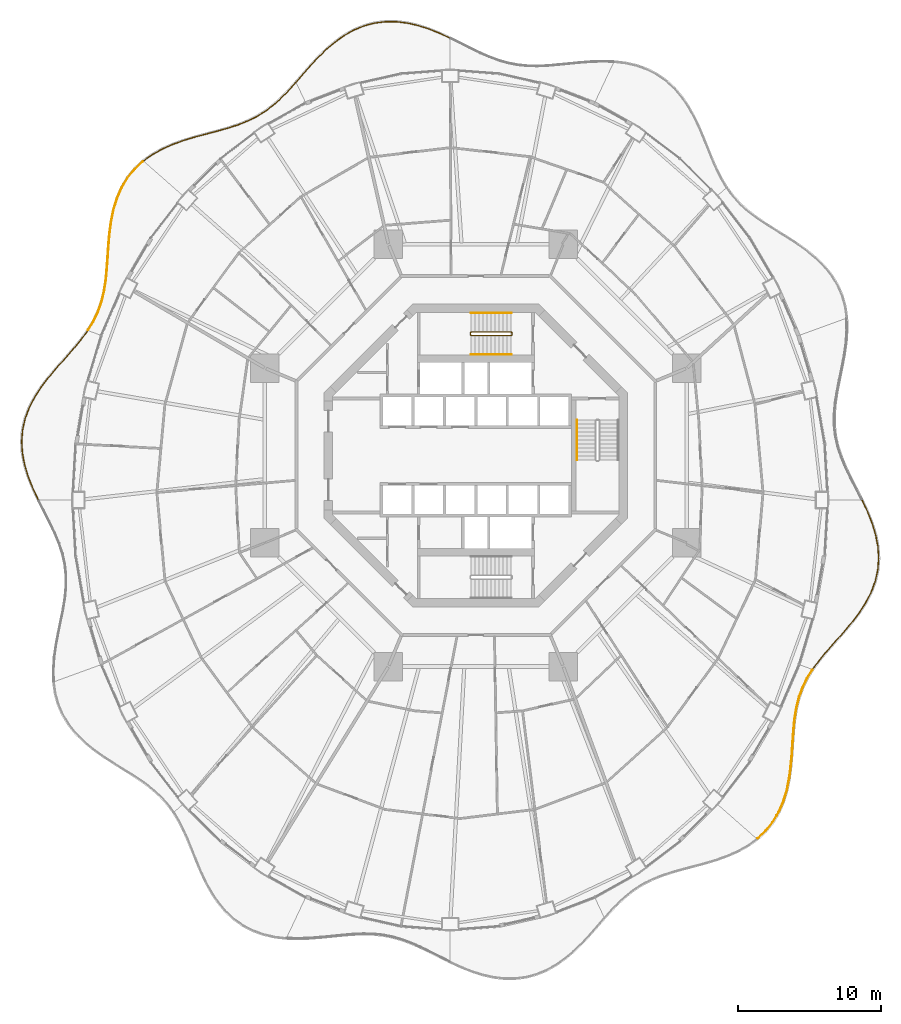
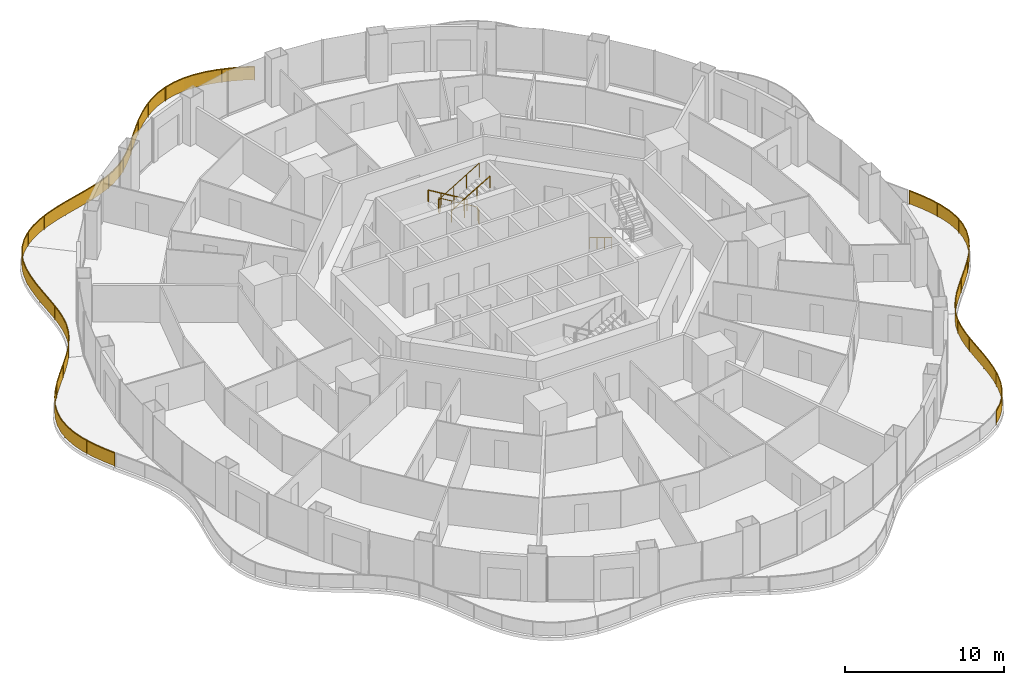
# One storey, part 19 of 20: 10 railings.
"""IFC4 building model written with IfcOpenShell, lengths in metres."""

from ifc_helpers import new_model, si_unit, direction, frame, origin, origin_2d, place, context, subcontext, project, spatial, polyline, rectangle, circle, outline, extrude, material, type_object, element, save


model = new_model("IFC4")

# Units and contexts
model_context = context("Model", 3, precision=1e-05, world=origin(), true_north=direction((0.0, 1.0)))
body_context = subcontext(model_context, "Body", "Model", "MODEL_VIEW")
ifc_project = project(units=[si_unit("LENGTHUNIT", "METRE"), si_unit("AREAUNIT", "SQUARE_METRE"), si_unit("VOLUMEUNIT", "CUBIC_METRE"), si_unit("PLANEANGLEUNIT", "RADIAN"), si_unit("MASSUNIT", "GRAM", prefix="KILO")], contexts=[model_context])

# Site, building, storey
site_placement = place(None, origin())
site = spatial("IfcSite", under=ifc_project, at=site_placement, CompositionType="ELEMENT")
building_placement = place(site_placement, origin())
building = spatial("IfcBuilding", under=site, at=building_placement, Name="Nagisa Residences", CompositionType="ELEMENT")
storey_placement = place(building_placement, frame((0.0, 0.0, 130.699951171875)))
storey = spatial("IfcBuildingStorey", under=building, at=storey_placement, Name="L32", CompositionType="ELEMENT", Elevation=130.699951171875)

# Railings
ifc_material_1 = material(Name="Stainless steel 316", Category="steel")
railing_type_1 = type_object("IfcRailingType", Name="BALCONY GUARD 1100", PredefinedType="BALUSTRADE", material=ifc_material_1)
railing_1_placement = place(storey_placement, frame((-1.83447265625, 29.24560546875, 0.0)))
element("IfcRailing", 1, at=railing_1_placement, inside=storey, type_object=railing_type_1, Name="guard:L32:bal04-0", PredefinedType="BALUSTRADE", context=body_context, shape_type="SweptSolid", body=[
    extrude(outline(polyline([(-0.696044921875, 0.29541015625), (-0.010498046875, -0.022705078125), (0.010498046875, 0.022705078125), (-0.676025390625, 0.34130859375), (-1.425048828125, 0.641357421875), (-2.189208984375, 0.888427734375), (-2.963134765625, 1.0654296875), (-3.739013671875, 1.159423828125), (-4.495849609375, 1.163330078125), (-5.256591796875, 1.065673828125), (-5.997314453125, 0.868896484375), (-6.711181640625, 0.576904296875), (-7.3935546875, 0.197021484375), (-8.023681640625, -0.253173828125), (-8.634765625, -0.769287109375), (-9.211669921875, -1.3291015625), (-9.7587890625, -1.91455078125), (-10.281982421875, -2.507568359375), (-10.7578125, -3.057861328125), (-10.7197265625, -3.090576171875), (-10.244384765625, -2.540283203125), (-9.7216796875, -1.9482421875), (-9.176025390625, -1.3642578125), (-8.60107421875, -0.806396484375), (-7.992919921875, -0.292724609375), (-7.36669921875, 0.154541015625), (-6.689697265625, 0.531494140625), (-5.981201171875, 0.821533203125), (-5.246826171875, 1.016357421875), (-4.492919921875, 1.113037109375), (-3.741943359375, 1.109619140625), (-2.971923828125, 1.01611328125), (-2.202392578125, 0.840087890625), (-1.442138671875, 0.594482421875), (-0.696044921875, 0.29541015625)])), frame((0.0, 0.0, 1.050048828125)), (0.0, 0.0, 1.0), 0.050048828125),
    extrude(outline(polyline([(-0.688720703125, 0.31201171875), (-0.0029296875, -0.00634765625), (0.0029296875, 0.00634765625), (-0.683349609375, 0.32470703125), (-1.43115234375, 0.62451171875), (-2.19384765625, 0.87109375), (-2.96630859375, 1.047607421875), (-3.739990234375, 1.1416015625), (-4.494873046875, 1.145263671875), (-5.253173828125, 1.0478515625), (-5.991455078125, 0.851806640625), (-6.703369140625, 0.560546875), (-7.3837890625, 0.181640625), (-8.0126953125, -0.267333984375), (-8.62255859375, -0.78271484375), (-9.19873046875, -1.341796875), (-9.745361328125, -1.9267578125), (-10.2685546875, -2.519287109375), (-10.744140625, -3.069580078125), (-10.7333984375, -3.078857421875), (-10.2578125, -2.528564453125), (-9.735107421875, -1.93603515625), (-9.18896484375, -1.3515625), (-8.61328125, -0.79296875), (-8.00390625, -0.278564453125), (-7.37646484375, 0.169921875), (-6.697509765625, 0.5478515625), (-5.987060546875, 0.838623046875), (-5.250244140625, 1.0341796875), (-4.493896484375, 1.131103515625), (-3.740966796875, 1.12744140625), (-2.96875, 1.033935546875), (-2.19775390625, 0.857421875), (-1.43603515625, 0.611328125), (-0.688720703125, 0.31201171875)])), frame((0.0, 0.0, 0.06005859375)), (0.0, 0.0, 1.0), 0.989990234375),
    extrude(rectangle(XDim=0.0400390625, YDim=0.0400390625, at=origin_2d()), origin(), (0.0, 0.0, 1.0), 1.050048828125),
    extrude(rectangle(XDim=0.0400390625, YDim=0.0400390625, at=origin_2d()), frame((-1.922119140625, 0.77587890625, 0.0)), (0.0, 0.0, 1.0), 1.050048828125),
    extrude(rectangle(XDim=0.0400390625, YDim=0.0400390625, at=origin_2d()), frame((-3.95751953125, 1.135498046875, 0.0)), (0.0, 0.0, 1.0), 1.050048828125),
    extrude(rectangle(XDim=0.0400390625, YDim=0.0400390625, at=origin_2d()), frame((-6.0, 0.8408203125, 0.0)), (0.0, 0.0, 1.0), 1.050048828125),
    extrude(rectangle(XDim=0.0400390625, YDim=0.0400390625, at=origin_2d()), frame((-7.81982421875, -0.13818359375, 0.0)), (0.0, 0.0, 1.0), 1.050048828125),
    extrude(rectangle(XDim=0.0400390625, YDim=0.0400390625, at=origin_2d()), frame((-9.359619140625, -1.524169921875, 0.0)), (0.0, 0.0, 1.0), 1.050048828125),
    extrude(rectangle(XDim=0.0400390625, YDim=0.0400390625, at=origin_2d()), frame((-10.73876953125, -3.07421875, 0.0)), (0.0, 0.0, 1.0), 1.050048828125),
])
railing_2_placement = place(storey_placement, frame((-12.62158203125, 26.11376953125, 0.0)))
element("IfcRailing", 2, at=railing_2_placement, inside=storey, type_object=railing_type_1, Name="guard:L32:bal05-0", PredefinedType="BALUSTRADE", context=body_context, shape_type="SweptSolid", body=[
    extrude(outline(polyline([(-0.469970703125, -0.562744140625), (0.0185546875, -0.0166015625), (-0.0185546875, 0.0166015625), (-0.506591796875, -0.528564453125), (-1.030029296875, -1.06494140625), (-1.568359375, -1.5498046875), (-2.131103515625, -1.977783203125), (-2.7265625, -2.347900390625), (-3.345947265625, -2.654541015625), (-4.019775390625, -2.923583984375), (-4.73291015625, -3.156494140625), (-5.48046875, -3.367431640625), (-6.254150390625, -3.57177734375), (-7.030517578125, -3.77490234375), (-7.8203125, -4.013916015625), (-8.59619140625, -4.29248046875), (-9.342529296875, -4.622802734375), (-10.0439453125, -5.01416015625), (-10.64794921875, -5.44384765625), (-10.619140625, -5.48486328125), (-10.01708984375, -5.056640625), (-9.320068359375, -4.667724609375), (-8.57763671875, -4.3388671875), (-7.8046875, -4.061279296875), (-7.016845703125, -3.8232421875), (-6.241455078125, -3.6201171875), (-5.46728515625, -3.415771484375), (-4.71826171875, -3.204345703125), (-4.002685546875, -2.970458984375), (-3.325439453125, -2.700439453125), (-2.7021484375, -2.391845703125), (-2.102783203125, -2.019287109375), (-1.53662109375, -1.58837890625), (-0.995361328125, -1.10107421875), (-0.469970703125, -0.562744140625)])), frame((0.0, 0.0, 1.050048828125)), (0.0, 0.0, 1.0), 0.050048828125),
    extrude(outline(polyline([(-0.483154296875, -0.550537109375), (0.005126953125, -0.004638671875), (-0.005126953125, 0.004638671875), (-0.493408203125, -0.540771484375), (-1.017578125, -1.077880859375), (-1.556884765625, -1.563720703125), (-2.120849609375, -1.99267578125), (-2.7177734375, -2.36376953125), (-3.338623046875, -2.671142578125), (-4.013671875, -2.9404296875), (-4.7275390625, -3.173828125), (-5.475830078125, -3.384765625), (-6.24951171875, -3.589111328125), (-7.025634765625, -3.792236328125), (-7.814697265625, -4.031005859375), (-8.589599609375, -4.30908203125), (-9.33447265625, -4.638916015625), (-10.0341796875, -5.029541015625), (-10.6376953125, -5.458740234375), (-10.62939453125, -5.469970703125), (-10.02685546875, -5.041259765625), (-9.328125, -4.651611328125), (-8.584228515625, -4.322265625), (-7.810302734375, -4.044189453125), (-7.021728515625, -3.805908203125), (-6.24609375, -3.602783203125), (-5.471923828125, -3.3984375), (-4.7236328125, -3.18701171875), (-4.0087890625, -2.95361328125), (-3.332763671875, -2.683837890625), (-2.7109375, -2.3759765625), (-2.113037109375, -2.00439453125), (-1.548095703125, -1.574462890625), (-1.0078125, -1.088134765625), (-0.483154296875, -0.550537109375)])), frame((0.0, 0.0, 0.06005859375)), (0.0, 0.0, 1.0), 0.989990234375),
    extrude(rectangle(XDim=0.0400390625, YDim=0.0400390625, at=origin_2d()), origin(), (0.0, 0.0, 1.0), 1.050048828125),
    extrude(rectangle(XDim=0.0400390625, YDim=0.0400390625, at=origin_2d()), frame((-1.418701171875, -1.448486328125, 0.0)), (0.0, 0.0, 1.0), 1.050048828125),
    extrude(rectangle(XDim=0.0400390625, YDim=0.0400390625, at=origin_2d()), frame((-3.10546875, -2.5634765625, 0.0)), (0.0, 0.0, 1.0), 1.050048828125),
    extrude(rectangle(XDim=0.0400390625, YDim=0.0400390625, at=origin_2d()), frame((-5.00830078125, -3.26025390625, 0.0)), (0.0, 0.0, 1.0), 1.050048828125),
    extrude(rectangle(XDim=0.0400390625, YDim=0.0400390625, at=origin_2d()), frame((-6.968505859375, -3.78466796875, 0.0)), (0.0, 0.0, 1.0), 1.050048828125),
    extrude(rectangle(XDim=0.0400390625, YDim=0.0400390625, at=origin_2d()), frame((-8.884521484375, -4.447509765625, 0.0)), (0.0, 0.0, 1.0), 1.050048828125),
    extrude(rectangle(XDim=0.0400390625, YDim=0.0400390625, at=origin_2d()), frame((-10.633544921875, -5.46435546875, 0.0)), (0.0, 0.0, 1.0), 1.050048828125),
])
railing_3_placement = place(storey_placement, frame((-23.3154296875, 20.600830078125, 0.0)))
element("IfcRailing", 3, at=railing_3_placement, inside=storey, type_object=railing_type_1, Name="guard:L32:bal06-0", PredefinedType="BALUSTRADE", context=body_context, shape_type="SweptSolid", body=[
    extrude(outline(polyline([(-0.54443359375, -0.538330078125), (0.01708984375, -0.018310546875), (-0.01708984375, 0.018310546875), (-0.5810546875, -0.504150390625), (-1.093017578125, -1.134033203125), (-1.513916015625, -1.832275390625), (-1.844482421875, -2.588623046875), (-2.09033203125, -3.391357421875), (-2.25439453125, -4.2138671875), (-2.36865234375, -5.06591796875), (-2.443359375, -5.920654296875), (-2.4990234375, -6.765625), (-2.557373046875, -7.58935546875), (-2.63232421875, -8.37109375), (-2.755126953125, -9.130859375), (-2.93408203125, -9.85498046875), (-3.18017578125, -10.544921875), (-3.497802734375, -11.204833984375), (-3.865478515625, -11.80615234375), (-3.822998046875, -11.83203125), (-3.453857421875, -11.228759765625), (-3.1337890625, -10.564453125), (-2.88623046875, -9.86962890625), (-2.705810546875, -9.14111328125), (-2.58251953125, -8.37744140625), (-2.507568359375, -7.59375), (-2.44921875, -6.76904296875), (-2.3935546875, -5.924560546875), (-2.31884765625, -5.0712890625), (-2.205078125, -4.22216796875), (-2.04150390625, -3.403564453125), (-1.797607421875, -2.606201171875), (-1.469482421875, -1.855224609375), (-1.052001953125, -1.162841796875), (-0.54443359375, -0.538330078125)])), frame((0.0, 0.0, 1.050048828125)), (0.0, 0.0, 1.0), 0.050048828125),
    extrude(outline(polyline([(-0.5576171875, -0.526123046875), (0.004638671875, -0.005126953125), (-0.004638671875, 0.005126953125), (-0.56787109375, -0.516357421875), (-1.078369140625, -1.144287109375), (-1.498046875, -1.840576171875), (-1.82763671875, -2.594970703125), (-2.07275390625, -3.395751953125), (-2.236572265625, -4.216796875), (-2.350830078125, -5.06787109375), (-2.425537109375, -5.922119140625), (-2.481201171875, -6.766845703125), (-2.53955078125, -7.591064453125), (-2.6142578125, -8.373291015625), (-2.7373046875, -9.134521484375), (-2.916748046875, -9.8603515625), (-3.163330078125, -10.552001953125), (-3.48193359375, -11.21337890625), (-3.85009765625, -11.8154296875), (-3.83837890625, -11.82275390625), (-3.4697265625, -11.22021484375), (-3.150634765625, -10.557373046875), (-2.903564453125, -9.8642578125), (-2.7236328125, -9.137451171875), (-2.6005859375, -8.375244140625), (-2.525390625, -7.592041015625), (-2.467041015625, -6.767822265625), (-2.411376953125, -5.923095703125), (-2.336669921875, -5.0693359375), (-2.222900390625, -4.21923828125), (-2.05908203125, -3.399169921875), (-1.814453125, -2.599853515625), (-1.4853515625, -1.846923828125), (-1.066650390625, -1.152587890625), (-0.5576171875, -0.526123046875)])), frame((0.0, 0.0, 0.06005859375)), (0.0, 0.0, 1.0), 0.989990234375),
    extrude(rectangle(XDim=0.0400390625, YDim=0.0400390625, at=origin_2d()), origin(), (0.0, 0.0, 1.0), 1.050048828125),
    extrude(rectangle(XDim=0.0400390625, YDim=0.0400390625, at=origin_2d()), frame((-1.356689453125, -1.61962890625, 0.0)), (0.0, 0.0, 1.0), 1.050048828125),
    extrude(rectangle(XDim=0.0400390625, YDim=0.0400390625, at=origin_2d()), frame((-2.10595703125, -3.598388671875, 0.0)), (0.0, 0.0, 1.0), 1.050048828125),
    extrude(rectangle(XDim=0.0400390625, YDim=0.0400390625, at=origin_2d()), frame((-2.399169921875, -5.70166015625, 0.0)), (0.0, 0.0, 1.0), 1.050048828125),
    extrude(rectangle(XDim=0.0400390625, YDim=0.0400390625, at=origin_2d()), frame((-2.554443359375, -7.821533203125, 0.0)), (0.0, 0.0, 1.0), 1.050048828125),
    extrude(rectangle(XDim=0.0400390625, YDim=0.0400390625, at=origin_2d()), frame((-2.927001953125, -9.90966796875, 0.0)), (0.0, 0.0, 1.0), 1.050048828125),
    extrude(rectangle(XDim=0.0400390625, YDim=0.0400390625, at=origin_2d()), frame((-3.84423828125, -11.819091796875, 0.0)), (0.0, 0.0, 1.0), 1.050048828125),
])
railing_4_placement = place(storey_placement, frame((-27.201171875, 8.723876953125, 0.0)))
element("IfcRailing", 4, at=railing_4_placement, inside=storey, type_object=railing_type_1, Name="guard:L32:bal07-0", PredefinedType="BALUSTRADE", context=body_context, shape_type="SweptSolid", body=[
    extrude(outline(polyline([(-0.4267578125, -0.623779296875), (0.020263671875, -0.014892578125), (-0.020263671875, 0.014892578125), (-0.46630859375, -0.593017578125), (-0.9921875, -1.228759765625), (-1.556396484375, -1.868408203125), (-2.1357421875, -2.521240234375), (-2.70556640625, -3.1943359375), (-3.236572265625, -3.880126953125), (-3.710693359375, -4.60791015625), (-4.10205078125, -5.364990234375), (-4.393798828125, -6.148681640625), (-4.572998046875, -6.95458984375), (-4.63330078125, -7.762451171875), (-4.5791015625, -8.592041015625), (-4.41796875, -9.423095703125), (-4.164306640625, -10.247802734375), (-3.838623046875, -11.061279296875), (-3.48193359375, -11.81787109375), (-3.4365234375, -11.79638671875), (-3.792724609375, -11.041259765625), (-4.116943359375, -10.231201171875), (-4.369140625, -9.410888671875), (-4.529296875, -8.585693359375), (-4.5830078125, -7.762451171875), (-4.523193359375, -6.9619140625), (-4.345458984375, -6.162841796875), (-4.05615234375, -5.385498046875), (-3.667236328125, -4.63330078125), (-3.195556640625, -3.908935546875), (-2.66650390625, -3.22607421875), (-2.09814453125, -2.553955078125), (-1.518798828125, -1.901611328125), (-0.9541015625, -1.261474609375), (-0.4267578125, -0.623779296875)])), frame((0.0, 0.0, 1.050048828125)), (0.0, 0.0, 1.0), 0.050048828125),
    extrude(outline(polyline([(-0.44091796875, -0.61279296875), (0.005615234375, -0.004150390625), (-0.005615234375, 0.004150390625), (-0.4521484375, -0.60400390625), (-0.978515625, -1.240478515625), (-1.542724609375, -1.88037109375), (-2.122314453125, -2.532958984375), (-2.69140625, -3.205810546875), (-3.2216796875, -3.890380859375), (-3.695068359375, -4.6171875), (-4.08544921875, -5.372314453125), (-4.37646484375, -6.15380859375), (-4.554931640625, -6.957275390625), (-4.615234375, -7.762451171875), (-4.56103515625, -8.58984375), (-4.400390625, -9.418701171875), (-4.147216796875, -10.241943359375), (-3.822021484375, -11.053955078125), (-3.465576171875, -11.81005859375), (-3.452880859375, -11.80419921875), (-3.809326171875, -11.048583984375), (-4.134033203125, -10.237060546875), (-4.38671875, -9.415283203125), (-4.54736328125, -8.587890625), (-4.60107421875, -7.762451171875), (-4.541259765625, -6.959228515625), (-4.36279296875, -6.15771484375), (-4.07275390625, -5.378173828125), (-3.682861328125, -4.6240234375), (-3.21044921875, -3.898681640625), (-2.6806640625, -3.214599609375), (-2.111572265625, -2.542236328125), (-1.532470703125, -1.8896484375), (-0.9677734375, -1.249755859375), (-0.44091796875, -0.61279296875)])), frame((0.0, 0.0, 0.06005859375)), (0.0, 0.0, 1.0), 0.989990234375),
    extrude(rectangle(XDim=0.0400390625, YDim=0.0400390625, at=origin_2d()), origin(), (0.0, 0.0, 1.0), 1.050048828125),
    extrude(rectangle(XDim=0.0400390625, YDim=0.0400390625, at=origin_2d()), frame((-1.412841796875, -1.743408203125, 0.0)), (0.0, 0.0, 1.0), 1.050048828125),
    extrude(rectangle(XDim=0.0400390625, YDim=0.0400390625, at=origin_2d()), frame((-2.87158203125, -3.449951171875, 0.0)), (0.0, 0.0, 1.0), 1.050048828125),
    extrude(rectangle(XDim=0.0400390625, YDim=0.0400390625, at=origin_2d()), frame((-4.06396484375, -5.345947265625, 0.0)), (0.0, 0.0, 1.0), 1.050048828125),
    extrude(rectangle(XDim=0.0400390625, YDim=0.0400390625, at=origin_2d()), frame((-4.589599609375, -7.514404296875, 0.0)), (0.0, 0.0, 1.0), 1.050048828125),
    extrude(rectangle(XDim=0.0400390625, YDim=0.0400390625, at=origin_2d()), frame((-4.298095703125, -9.727783203125, 0.0)), (0.0, 0.0, 1.0), 1.050048828125),
    extrude(rectangle(XDim=0.0400390625, YDim=0.0400390625, at=origin_2d()), frame((-3.459228515625, -11.80712890625, 0.0)), (0.0, 0.0, 1.0), 1.050048828125),
])
railing_5_placement = place(storey_placement, frame((19.71533203125, -26.836181640625, 0.0)))
element("IfcRailing", 5, at=railing_5_placement, inside=storey, type_object=railing_type_1, Name="guard:L32:bal14-0", PredefinedType="BALUSTRADE", context=body_context, shape_type="SweptSolid", body=[
    extrude(outline(polyline([(0.54443359375, 0.538330078125), (-0.01708984375, 0.018310546875), (0.01708984375, -0.018310546875), (0.5810546875, 0.504150390625), (1.09326171875, 1.134033203125), (1.51416015625, 1.83203125), (1.844482421875, 2.588623046875), (2.09033203125, 3.391357421875), (2.25439453125, 4.213623046875), (2.36865234375, 5.065673828125), (2.443359375, 5.920654296875), (2.499267578125, 6.765625), (2.5576171875, 7.589599609375), (2.63232421875, 8.370849609375), (2.75537109375, 9.130859375), (2.934326171875, 9.85498046875), (3.18017578125, 10.544921875), (3.498046875, 11.204833984375), (3.86572265625, 11.80615234375), (3.8232421875, 11.83203125), (3.4541015625, 11.228759765625), (3.1337890625, 10.564453125), (2.886474609375, 9.86962890625), (2.7060546875, 9.14111328125), (2.58251953125, 8.377197265625), (2.5078125, 7.593505859375), (2.449462890625, 6.76904296875), (2.3935546875, 5.924560546875), (2.31884765625, 5.071044921875), (2.205078125, 4.221923828125), (2.04150390625, 3.403564453125), (1.797607421875, 2.606201171875), (1.4697265625, 1.85498046875), (1.05224609375, 1.162841796875), (0.54443359375, 0.538330078125)])), frame((0.0, 0.0, 1.050048828125)), (0.0, 0.0, 1.0), 0.050048828125),
    extrude(outline(polyline([(0.5576171875, 0.526123046875), (-0.004638671875, 0.005126953125), (0.004638671875, -0.005126953125), (0.56787109375, 0.516357421875), (1.07861328125, 1.144287109375), (1.498291015625, 1.84033203125), (1.82763671875, 2.594970703125), (2.07275390625, 3.395751953125), (2.236572265625, 4.216552734375), (2.350830078125, 5.067626953125), (2.425537109375, 5.922119140625), (2.4814453125, 6.766845703125), (2.539794921875, 7.591064453125), (2.6142578125, 8.373046875), (2.737548828125, 9.134521484375), (2.9169921875, 9.8603515625), (3.163330078125, 10.552001953125), (3.482177734375, 11.21337890625), (3.850341796875, 11.8154296875), (3.838623046875, 11.82275390625), (3.469970703125, 11.22021484375), (3.150634765625, 10.557373046875), (2.90380859375, 9.8642578125), (2.723876953125, 9.137451171875), (2.6005859375, 8.375), (2.525634765625, 7.592041015625), (2.46728515625, 6.767822265625), (2.411376953125, 5.923095703125), (2.336669921875, 5.069091796875), (2.222900390625, 4.218994140625), (2.05908203125, 3.399169921875), (1.814453125, 2.599853515625), (1.485595703125, 1.8466796875), (1.06689453125, 1.152587890625), (0.5576171875, 0.526123046875)])), frame((0.0, 0.0, 0.06005859375)), (0.0, 0.0, 1.0), 0.989990234375),
    extrude(rectangle(XDim=0.0400390625, YDim=0.0400390625, at=origin_2d()), origin(), (0.0, 0.0, 1.0), 1.050048828125),
    extrude(rectangle(XDim=0.0400390625, YDim=0.0400390625, at=origin_2d()), frame((1.35693359375, 1.61962890625, 0.0)), (0.0, 0.0, 1.0), 1.050048828125),
    extrude(rectangle(XDim=0.0400390625, YDim=0.0400390625, at=origin_2d()), frame((2.10595703125, 3.598388671875, 0.0)), (0.0, 0.0, 1.0), 1.050048828125),
    extrude(rectangle(XDim=0.0400390625, YDim=0.0400390625, at=origin_2d()), frame((2.399169921875, 5.70166015625, 0.0)), (0.0, 0.0, 1.0), 1.050048828125),
    extrude(rectangle(XDim=0.0400390625, YDim=0.0400390625, at=origin_2d()), frame((2.5546875, 7.821533203125, 0.0)), (0.0, 0.0, 1.0), 1.050048828125),
    extrude(rectangle(XDim=0.0400390625, YDim=0.0400390625, at=origin_2d()), frame((2.92724609375, 9.90966796875, 0.0)), (0.0, 0.0, 1.0), 1.050048828125),
    extrude(rectangle(XDim=0.0400390625, YDim=0.0400390625, at=origin_2d()), frame((3.844482421875, 11.819091796875, 0.0)), (0.0, 0.0, 1.0), 1.050048828125),
])
railing_6_placement = place(storey_placement, frame((23.601318359375, -14.959228515625, 0.0)))
element("IfcRailing", 6, at=railing_6_placement, inside=storey, type_object=railing_type_1, Name="guard:L32:bal15-0", PredefinedType="BALUSTRADE", context=body_context, shape_type="SweptSolid", body=[
    extrude(outline(polyline([(0.426513671875, 0.623779296875), (-0.020263671875, 0.014892578125), (0.020263671875, -0.014892578125), (0.466064453125, 0.593017578125), (0.9921875, 1.228515625), (1.55615234375, 1.868408203125), (2.135498046875, 2.521240234375), (2.70556640625, 3.1943359375), (3.236572265625, 3.880126953125), (3.71044921875, 4.60791015625), (4.10205078125, 5.36474609375), (4.3935546875, 6.148681640625), (4.572998046875, 6.954345703125), (4.633056640625, 7.762451171875), (4.5791015625, 8.592041015625), (4.417724609375, 9.423095703125), (4.164306640625, 10.247802734375), (3.838623046875, 11.061279296875), (3.48193359375, 11.81787109375), (3.4365234375, 11.79638671875), (3.792724609375, 11.041259765625), (4.116943359375, 10.231201171875), (4.368896484375, 9.410888671875), (4.529296875, 8.585693359375), (4.582763671875, 7.762451171875), (4.523193359375, 6.961669921875), (4.34521484375, 6.162841796875), (4.05615234375, 5.38525390625), (3.6669921875, 4.63330078125), (3.195556640625, 3.908935546875), (2.66650390625, 3.22607421875), (2.097900390625, 2.553955078125), (1.5185546875, 1.901611328125), (0.9541015625, 1.26123046875), (0.426513671875, 0.623779296875)])), frame((0.0, 0.0, 1.050048828125)), (0.0, 0.0, 1.0), 0.050048828125),
    extrude(outline(polyline([(0.440673828125, 0.61279296875), (-0.005615234375, 0.004150390625), (0.005615234375, -0.004150390625), (0.451904296875, 0.60400390625), (0.978515625, 1.240234375), (1.54248046875, 1.88037109375), (2.1220703125, 2.532958984375), (2.69140625, 3.205810546875), (3.2216796875, 3.890380859375), (3.69482421875, 4.6171875), (4.08544921875, 5.3720703125), (4.376220703125, 6.15380859375), (4.554931640625, 6.95703125), (4.614990234375, 7.762451171875), (4.56103515625, 8.58984375), (4.400146484375, 9.418701171875), (4.147216796875, 10.241943359375), (3.822021484375, 11.053955078125), (3.465576171875, 11.81005859375), (3.452880859375, 11.80419921875), (3.809326171875, 11.048583984375), (4.134033203125, 10.237060546875), (4.386474609375, 9.415283203125), (4.54736328125, 8.587890625), (4.600830078125, 7.762451171875), (4.541259765625, 6.958984375), (4.362548828125, 6.15771484375), (4.07275390625, 5.3779296875), (3.6826171875, 4.6240234375), (3.21044921875, 3.898681640625), (2.6806640625, 3.214599609375), (2.111328125, 2.542236328125), (1.5322265625, 1.8896484375), (0.9677734375, 1.24951171875), (0.440673828125, 0.61279296875)])), frame((0.0, 0.0, 0.06005859375)), (0.0, 0.0, 1.0), 0.989990234375),
    extrude(rectangle(XDim=0.0400390625, YDim=0.0400390625, at=origin_2d()), origin(), (0.0, 0.0, 1.0), 1.050048828125),
    extrude(rectangle(XDim=0.0400390625, YDim=0.0400390625, at=origin_2d()), frame((1.41259765625, 1.74365234375, 0.0)), (0.0, 0.0, 1.0), 1.050048828125),
    extrude(rectangle(XDim=0.0400390625, YDim=0.0400390625, at=origin_2d()), frame((2.87158203125, 3.449951171875, 0.0)), (0.0, 0.0, 1.0), 1.050048828125),
    extrude(rectangle(XDim=0.0400390625, YDim=0.0400390625, at=origin_2d()), frame((4.06396484375, 5.345947265625, 0.0)), (0.0, 0.0, 1.0), 1.050048828125),
    extrude(rectangle(XDim=0.0400390625, YDim=0.0400390625, at=origin_2d()), frame((4.58935546875, 7.514404296875, 0.0)), (0.0, 0.0, 1.0), 1.050048828125),
    extrude(rectangle(XDim=0.0400390625, YDim=0.0400390625, at=origin_2d()), frame((4.2978515625, 9.727783203125, 0.0)), (0.0, 0.0, 1.0), 1.050048828125),
    extrude(rectangle(XDim=0.0400390625, YDim=0.0400390625, at=origin_2d()), frame((3.459228515625, 11.80712890625, 0.0)), (0.0, 0.0, 1.0), 1.050048828125),
])
ifc_material_2 = material(Name="Stainless steel", Category="steel")
railing_type_2 = type_object("IfcRailingType", Name="Stair guard 1100", PredefinedType="GUARDRAIL", material=ifc_material_2)
railing_7_placement = place(storey_placement, frame((2.52490234375, 8.44970703125, 0.0)))
element("IfcRailing", 7, at=railing_7_placement, inside=storey, type_object=railing_type_2, Name="L32 ST-N stair guard 1", PredefinedType="GUARDRAIL", context=body_context, shape_type="SweptSolid", body=[
    extrude(circle(Radius=0.02392578125, at=origin_2d()), frame((0.0, 0.0, 1.076171875), z_axis=(0.0, 1.0, 0.0), x_axis=(-1.0, 0.0, 0.0)), (0.0, 0.0, 1.0), 0.14990234375),
    extrude(circle(Radius=0.02392578125, at=origin_2d()), frame((0.0, 0.14990234375, 1.076171875), z_axis=(-0.273006030465, 0.27434429532, 0.922064485248), x_axis=(-0.708833529934, -0.705375805398, 0.0)), (0.0, 0.0, 1.0), 0.182373046875),
    extrude(circle(Radius=0.02392578125, at=origin_2d()), frame((-0.0498046875, 0.199951171875, 1.244140625), z_axis=(-0.857242210791, 0.0, 0.514913383045), x_axis=(0.0, -1.0, 0.0)), (0.0, 0.0, 1.0), 3.266357421875),
    extrude(circle(Radius=0.02392578125, at=origin_2d()), frame((-2.849853515625, 0.199951171875, 2.92626953125), z_axis=(-0.707106781187, -0.707106781187, 0.0), x_axis=(0.707106781187, -0.707106781187, 0.0)), (0.0, 0.0, 1.0), 0.07080078125),
    extrude(circle(Radius=0.02392578125, at=origin_2d()), frame((-2.89990234375, 0.14990234375, 2.92626953125), z_axis=(0.0, -1.0, 0.0), x_axis=(1.0, 0.0, 0.0)), (0.0, 0.0, 1.0), 0.14990234375),
    extrude(circle(Radius=0.02392578125, at=origin_2d()), frame((-2.89990234375, 0.0, 2.92626953125), z_axis=(0.274243871929, -0.274243871929, 0.92172696468), x_axis=(0.707106781187, 0.707106781187, 0.0)), (0.0, 0.0, 1.0), 0.1826171875),
    extrude(circle(Radius=0.02392578125, at=origin_2d()), frame((-2.849853515625, -0.050048828125, 3.09423828125), z_axis=(0.857275202839, 0.0, 0.514858452973), x_axis=(0.0, 1.0, 0.0)), (0.0, 0.0, 1.0), 3.26611328125),
    extrude(circle(Radius=0.02099609375, at=origin_2d()), origin(), (0.0, 0.0, 1.0), 1.052001953125),
    extrude(circle(Radius=0.02099609375, at=origin_2d()), frame((0.0, 0.14990234375, 0.0)), (0.0, 0.0, 1.0), 1.052001953125),
    extrude(circle(Radius=0.02099609375, at=origin_2d()), frame((-0.0498046875, 0.199951171875, 0.168212890625)), (0.0, 0.0, 1.0), 1.052001953125),
    extrude(circle(Radius=0.02099609375, at=origin_2d()), frame((-0.983154296875, 0.199951171875, 0.728759765625)), (0.0, 0.0, 1.0), 1.052001953125),
    extrude(circle(Radius=0.02099609375, at=origin_2d()), frame((-1.91650390625, 0.199951171875, 1.28955078125)), (0.0, 0.0, 1.0), 1.052001953125),
    extrude(circle(Radius=0.02099609375, at=origin_2d()), frame((-2.849853515625, 0.199951171875, 1.85009765625)), (0.0, 0.0, 1.0), 1.052001953125),
    extrude(circle(Radius=0.02099609375, at=origin_2d()), frame((-2.89990234375, 0.14990234375, 1.85009765625)), (0.0, 0.0, 1.0), 1.052001953125),
    extrude(circle(Radius=0.02099609375, at=origin_2d()), frame((-2.89990234375, 0.0, 1.85009765625)), (0.0, 0.0, 1.0), 1.052001953125),
    extrude(circle(Radius=0.02099609375, at=origin_2d()), frame((-2.849853515625, -0.050048828125, 2.018310546875)), (0.0, 0.0, 1.0), 1.052001953125),
    extrude(circle(Radius=0.02099609375, at=origin_2d()), frame((-1.91650390625, -0.050048828125, 2.578857421875)), (0.0, 0.0, 1.0), 1.052001953125),
    extrude(circle(Radius=0.02099609375, at=origin_2d()), frame((-0.983154296875, -0.050048828125, 3.139404296875)), (0.0, 0.0, 1.0), 1.052001953125),
    extrude(circle(Radius=0.02099609375, at=origin_2d()), frame((-0.0498046875, -0.050048828125, 3.699951171875)), (0.0, 0.0, 1.0), 1.052001953125),
])
ifc_material_3 = material(Name="Stainless steel", Category="steel")
railing_type_3 = type_object("IfcRailingType", Name="Stair handrail 900", PredefinedType="HANDRAIL", material=ifc_material_3)
railing_8_placement = place(storey_placement, frame((7.07470703125, 2.47509765625, 0.168212890625)))
element("IfcRailing", 8, at=railing_8_placement, inside=storey, type_object=railing_type_3, Name="L32 ST-E stair handrail 1", PredefinedType="HANDRAIL", context=body_context, shape_type="SweptSolid", body=[
    extrude(circle(Radius=0.02392578125, at=origin_2d()), frame((0.0, 0.0, 0.8759765625), z_axis=(0.0, -0.857242210791, 0.514913383045), x_axis=(1.0, 0.0, 0.0)), (0.0, 0.0, 1.0), 3.266357421875),
    extrude(circle(Radius=0.02099609375, at=origin_2d()), origin(), (0.0, 0.0, 1.0), 0.851806640625),
    extrude(circle(Radius=0.02099609375, at=origin_2d()), frame((0.0, -0.933349609375, 0.560546875)), (0.0, 0.0, 1.0), 0.851806640625),
    extrude(circle(Radius=0.02099609375, at=origin_2d()), frame((0.0, -1.86669921875, 1.121337890625)), (0.0, 0.0, 1.0), 0.851806640625),
    extrude(circle(Radius=0.02099609375, at=origin_2d()), frame((0.0, -2.800048828125, 1.681884765625)), (0.0, 0.0, 1.0), 0.851806640625),
])
railing_9_placement = place(storey_placement, frame((2.47509765625, 9.974609375, 0.168212890625)))
element("IfcRailing", 9, at=railing_9_placement, inside=storey, type_object=railing_type_3, Name="L32 ST-N stair handrail 1", PredefinedType="HANDRAIL", context=body_context, shape_type="SweptSolid", body=[
    extrude(circle(Radius=0.02392578125, at=origin_2d()), frame((0.0, 0.0, 0.8759765625), z_axis=(-0.857242210791, 0.0, 0.514913383045), x_axis=(0.0, -1.0, 0.0)), (0.0, 0.0, 1.0), 3.266357421875),
    extrude(circle(Radius=0.02099609375, at=origin_2d()), origin(), (0.0, 0.0, 1.0), 0.851806640625),
    extrude(circle(Radius=0.02099609375, at=origin_2d()), frame((-0.933349609375, 0.0, 0.560546875)), (0.0, 0.0, 1.0), 0.851806640625),
    extrude(circle(Radius=0.02099609375, at=origin_2d()), frame((-1.86669921875, 0.0, 1.121337890625)), (0.0, 0.0, 1.0), 0.851806640625),
    extrude(circle(Radius=0.02099609375, at=origin_2d()), frame((-2.800048828125, 0.0, 1.681884765625)), (0.0, 0.0, 1.0), 0.851806640625),
])
railing_10_placement = place(storey_placement, frame((-0.324951171875, 7.07470703125, 2.018310546875)))
element("IfcRailing", 10, at=railing_10_placement, inside=storey, type_object=railing_type_3, Name="L32 ST-N stair handrail 2", PredefinedType="HANDRAIL", context=body_context, shape_type="SweptSolid", body=[
    extrude(circle(Radius=0.02392578125, at=origin_2d()), frame((0.0, 0.0, 0.8759765625), z_axis=(0.857275202839, 0.0, 0.514858452973), x_axis=(0.0, 1.0, 0.0)), (0.0, 0.0, 1.0), 3.26611328125),
    extrude(circle(Radius=0.02099609375, at=origin_2d()), origin(), (0.0, 0.0, 1.0), 0.851806640625),
    extrude(circle(Radius=0.02099609375, at=origin_2d()), frame((0.933349609375, 0.0, 0.560546875)), (0.0, 0.0, 1.0), 0.851806640625),
    extrude(circle(Radius=0.02099609375, at=origin_2d()), frame((1.86669921875, 0.0, 1.12109375)), (0.0, 0.0, 1.0), 0.851806640625),
    extrude(circle(Radius=0.02099609375, at=origin_2d()), frame((2.800048828125, 0.0, 1.681640625)), (0.0, 0.0, 1.0), 0.851806640625),
])

save(model, "model.ifc")
